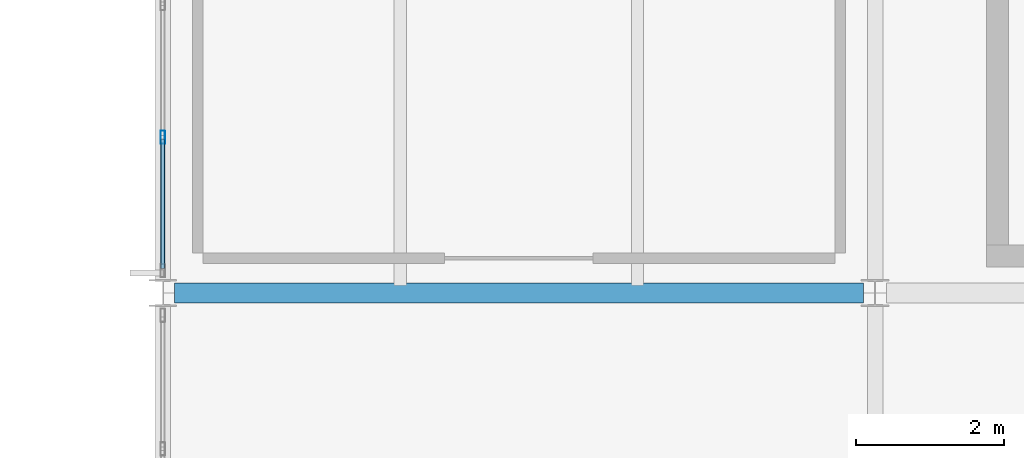
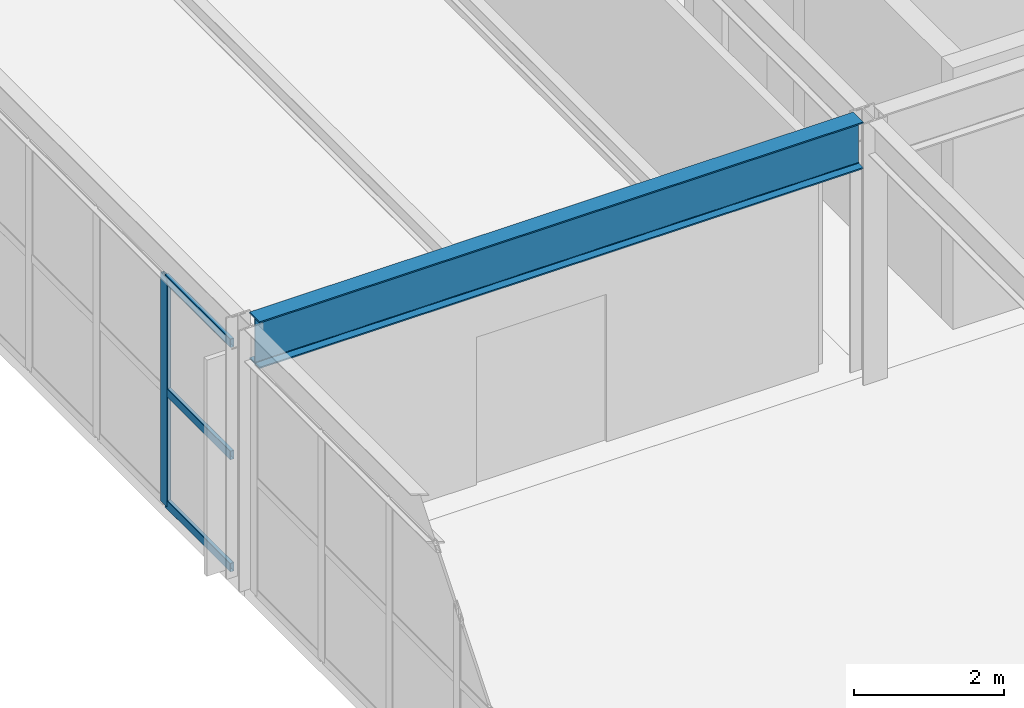
# One storey, part 82 of 170: 4 members, 1 beam, 1 element without a shape of its own.
"""IFC4 building model written with IfcOpenShell, lengths in metres."""

from ifc_helpers import new_model, si_unit, direction, frame, origin, origin_2d, place, context, subcontext, project, spatial, hollow_rectangle, i_section, extrude, material, material_profile, profile_set, type_object, element, aggregate, save


model = new_model("IFC4")

# Units and contexts
model_context = context("Model", 3, precision=1e-05, world=origin(), true_north=direction((0.0, 1.0)))
body_context = subcontext(model_context, "Body", "Model", "MODEL_VIEW")
ifc_project = project(units=[si_unit("LENGTHUNIT", "METRE"), si_unit("AREAUNIT", "SQUARE_METRE"), si_unit("VOLUMEUNIT", "CUBIC_METRE"), si_unit("PLANEANGLEUNIT", "RADIAN"), si_unit("MASSUNIT", "GRAM", prefix="KILO")], contexts=[model_context])

# Site, building, storey
site_placement = place(None, origin())
site = spatial("IfcSite", under=ifc_project, at=site_placement, CompositionType="ELEMENT")
building_placement = place(site_placement, origin())
building = spatial("IfcBuilding", under=site, at=building_placement, Name="Coralgate Yard Interchange", CompositionType="ELEMENT")
storey_placement = place(building_placement, frame((0.0, 0.0, 6.0)))
storey = spatial("IfcBuildingStorey", under=building, at=storey_placement, Name="L01", CompositionType="ELEMENT", Elevation=6.0)

# Beam
ifc_material_1 = material(Name="Structural steel S355J2", Category="steel")
ifc_material_profile_1 = material_profile(ifc_material_1, i_section(OverallWidth=0.2666015625, OverallDepth=0.76220703125, WebThickness=0.014404296875, FlangeThickness=0.021484375, FilletRadius=0.0166015625, at=origin_2d()), Name="UB 762x267x173")
ifc_profile_set_1 = profile_set([ifc_material_profile_1], Name="Structural steel S355J2")
beam_type = type_object("IfcBeamType", Name="BM-SG-3", PredefinedType="BEAM", material=ifc_profile_set_1)
beam_placement = place(storey_placement, frame((38.556396484375, 76.800048828125, 3.868896484375), z_axis=(1.0, 0.0, 0.0), x_axis=(0.0, 1.0, 0.0)))
element("IfcBeam", 1, at=beam_placement, inside=storey, type_object=beam_type, Name="L01 primary grid beam Y8 X4-5", PredefinedType="BEAM", context=body_context, shape_type="SweptSolid", body=[
    extrude(i_section(OverallWidth=0.2666015625, OverallDepth=0.76220703125, WebThickness=0.014404296875, FlangeThickness=0.021484375, FilletRadius=0.0166015625, at=origin_2d()), origin(), (0.0, 0.0, 1.0), 9.287353515625),
])

# Curtain wall, members
ifc_material_2 = material(Name="Anodised coastal aluminium and solar-control low-E glass", Category="aluminium")
curtain_wall_type = type_object("IfcCurtainWallType", Name="CW-CW-L01-B", PredefinedType="NOTDEFINED", material=ifc_material_2)
curtain_wall_placement = place(storey_placement, origin())
curtain_wall = element("IfcCurtainWall", 2, at=curtain_wall_placement, inside=storey, type_object=curtain_wall_type, Name="L01 unitised curtain wall CW-L01-W-04-08", PredefinedType="NOTDEFINED")
ifc_material_3 = material(Name="Anodised coastal aluminium 6063-T6", Category="aluminium")
ifc_material_profile_2 = material_profile(ifc_material_3, hollow_rectangle(XDim=0.06005859375, YDim=0.179931640625, WallThickness=0.00390625, InnerFilletRadius=0.00390625, OuterFilletRadius=0.008056640625, at=origin_2d()), Name="ALU 60x180x4")
ifc_profile_set_2 = profile_set([ifc_material_profile_2], Name="Anodised coastal aluminium 6063-T6")
member_type_1 = type_object("IfcMemberType", Name="MB-MUL-180", PredefinedType="MULLION", material=ifc_profile_set_2)
member_1_placement = place(storey_placement, frame((38.39990234375, 78.89990234375, 0.0), z_axis=(0.0, 0.0, 1.0), x_axis=(1.0, 0.0, 0.0)))
member_1 = element("IfcMember", 3, at=member_1_placement, type_object=member_type_1, Name="CW-L01-W-04-08 vertical mullion 2", PredefinedType="MULLION", context=body_context, shape_type="SweptSolid", body=[
    extrude(hollow_rectangle(XDim=0.06005859375, YDim=0.179931640625, WallThickness=0.00390625, InnerFilletRadius=0.00390625, OuterFilletRadius=0.008056640625, at=origin_2d()), origin(), (0.0, 0.0, 1.0), 3.716796875),
])
ifc_material_profile_3 = material_profile(ifc_material_3, hollow_rectangle(XDim=0.06005859375, YDim=0.139892578125, WallThickness=0.00341796875, InnerFilletRadius=0.00341796875, OuterFilletRadius=0.007080078125, at=origin_2d()), Name="ALU 60x140x3.5")
ifc_profile_set_3 = profile_set([ifc_material_profile_3], Name="Anodised coastal aluminium 6063-T6")
member_type_2 = type_object("IfcMemberType", Name="MB-TRN-140", PredefinedType="USERDEFINED", material=ifc_profile_set_3)
member_2_placement = place(storey_placement, frame((38.39990234375, 77.1298828125, 0.034912109375), z_axis=(0.0, 1.0, 0.0), x_axis=(-1.0, 0.0, 0.0)))
member_2 = element("IfcMember", 4, at=member_2_placement, type_object=member_type_2, Name="CW-L01-W-04-08 horizontal transom 1-1", ObjectType="TRANSOM", PredefinedType="USERDEFINED", context=body_context, shape_type="SweptSolid", body=[
    extrude(hollow_rectangle(XDim=0.06005859375, YDim=0.139892578125, WallThickness=0.00341796875, InnerFilletRadius=0.00341796875, OuterFilletRadius=0.007080078125, at=origin_2d()), origin(), (0.0, 0.0, 1.0), 1.740234375),
])
member_3_placement = place(storey_placement, frame((38.39990234375, 77.1298828125, 1.8583984375), z_axis=(0.0, 1.0, 0.0), x_axis=(-1.0, 0.0, 0.0)))
member_3 = element("IfcMember", 5, at=member_3_placement, type_object=member_type_2, Name="CW-L01-W-04-08 horizontal transom 1-2", ObjectType="TRANSOM", PredefinedType="USERDEFINED", context=body_context, shape_type="SweptSolid", body=[
    extrude(hollow_rectangle(XDim=0.06005859375, YDim=0.139892578125, WallThickness=0.00341796875, InnerFilletRadius=0.00341796875, OuterFilletRadius=0.007080078125, at=origin_2d()), origin(), (0.0, 0.0, 1.0), 1.740234375),
])
member_4_placement = place(storey_placement, frame((38.39990234375, 77.1298828125, 3.681884765625), z_axis=(0.0, 1.0, 0.0), x_axis=(-1.0, 0.0, 0.0)))
member_4 = element("IfcMember", 6, at=member_4_placement, type_object=member_type_2, Name="CW-L01-W-04-08 horizontal transom 1-3", ObjectType="TRANSOM", PredefinedType="USERDEFINED", context=body_context, shape_type="SweptSolid", body=[
    extrude(hollow_rectangle(XDim=0.06005859375, YDim=0.139892578125, WallThickness=0.00341796875, InnerFilletRadius=0.00341796875, OuterFilletRadius=0.007080078125, at=origin_2d()), origin(), (0.0, 0.0, 1.0), 1.740234375),
])
aggregate(curtain_wall, [member_1, member_2, member_3, member_4])

save(model, "model.ifc")
